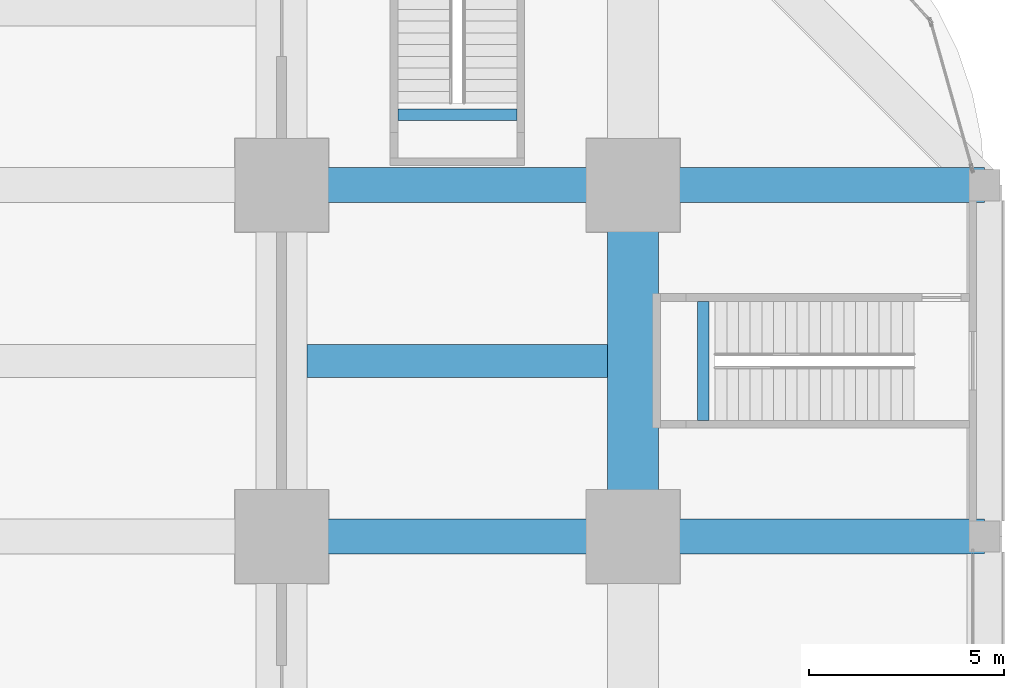
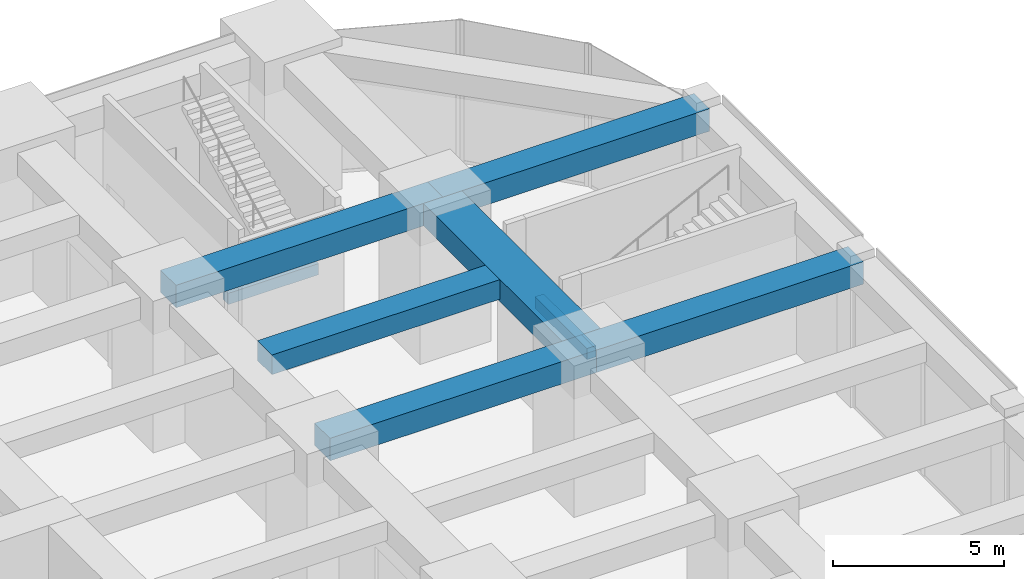
# One storey, part 36 of 45: 8 beams.
"""IFC4 building model written with IfcOpenShell, lengths in metres."""

from ifc_helpers import new_model, si_unit, direction, frame, origin, origin_2d, place, context, subcontext, project, spatial, rectangle, extrude, material, material_profile, profile_set, type_object, element, save


model = new_model("IFC4")

# Units and contexts
model_context = context("Model", 3, precision=1e-05, world=origin(), true_north=direction((0.0, 1.0)))
body_context = subcontext(model_context, "Body", "Model", "MODEL_VIEW")
ifc_project = project(units=[si_unit("LENGTHUNIT", "METRE"), si_unit("AREAUNIT", "SQUARE_METRE"), si_unit("VOLUMEUNIT", "CUBIC_METRE"), si_unit("PLANEANGLEUNIT", "RADIAN"), si_unit("MASSUNIT", "GRAM", prefix="KILO")], contexts=[model_context])

# Site, building, storey
site_placement = place(None, origin())
site = spatial("IfcSite", under=ifc_project, at=site_placement, CompositionType="ELEMENT")
building_placement = place(site_placement, origin())
building = spatial("IfcBuilding", under=site, at=building_placement, Name="Zorevar Civic Tower", CompositionType="ELEMENT")
storey_placement = place(building_placement, frame((0.0, 0.0, 5.39990234375)))
storey = spatial("IfcBuildingStorey", under=building, at=storey_placement, Name="L01", CompositionType="ELEMENT", Elevation=5.39990234375)

# Beams
ifc_material_1 = material(Name="Concrete C50/60", Category="concrete")
ifc_material_profile_1 = material_profile(ifc_material_1, rectangle(XDim=1.300048828125, YDim=0.800048828125, at=origin_2d()), Name="RC 1300x800")
ifc_profile_set_1 = profile_set([ifc_material_profile_1], Name="Concrete C50/60")
beam_type_1 = type_object("IfcBeamType", Name="Beam RC 1300x800", PredefinedType="BEAM", material=ifc_profile_set_1)
beam_1_placement = place(storey_placement, frame((63.0, 36.0, 4.7001953125), z_axis=(0.0, 1.0, 0.0), x_axis=(-1.0, 0.0, 0.0)))
element("IfcBeam", 1, at=beam_1_placement, inside=storey, type_object=beam_type_1, Name="Girder L02", PredefinedType="BEAM", context=body_context, shape_type="SweptSolid", body=[
    extrude(rectangle(XDim=1.300048828125, YDim=0.800048828125, at=origin_2d()), origin(), (0.0, 0.0, 1.0), 9.0),
])
ifc_material_2 = material(Name="Concrete C50/60", Category="concrete")
ifc_material_profile_2 = material_profile(ifc_material_2, rectangle(XDim=0.85009765625, YDim=0.699951171875, at=origin_2d()), Name="RC 850x700")
ifc_profile_set_2 = profile_set([ifc_material_profile_2], Name="Concrete C50/60")
beam_type_2 = type_object("IfcBeamType", Name="Beam RC 850x700", PredefinedType="BEAM", material=ifc_profile_set_2)
beam_2_placement = place(storey_placement, frame((54.64990234375, 40.5, 4.75), z_axis=(1.0, 0.0, 0.0), x_axis=(0.0, 1.0, 0.0)))
element("IfcBeam", 2, at=beam_2_placement, inside=storey, type_object=beam_type_2, Name="Secondary beam L02", PredefinedType="BEAM", context=body_context, shape_type="SweptSolid", body=[
    extrude(rectangle(XDim=0.85009765625, YDim=0.699951171875, at=origin_2d()), origin(), (0.0, 0.0, 1.0), 7.7001953125),
])
ifc_material_3 = material(Name="Concrete C50/60", Category="concrete")
ifc_material_profile_3 = material_profile(ifc_material_3, rectangle(XDim=0.89990234375, YDim=0.800048828125, at=origin_2d()), Name="RC 900x800")
ifc_profile_set_3 = profile_set([ifc_material_profile_3], Name="Concrete C50/60")
beam_type_3 = type_object("IfcBeamType", Name="Beam RC 900x800", PredefinedType="BEAM", material=ifc_profile_set_3)
for number, where, z_axis, x_axis, name in (
    (3, (54.0, 36.0, 4.7001953125), (1.0, 0.0, 0.0), (0.0, 1.0, 0.0), "Girder L02"),
    (4, (63.0, 36.0, 4.7001953125), (1.0, 0.0, 0.0), (0.0, 1.0, 0.0), "Girder L02"),
    (5, (54.0, 45.0, 4.7001953125), (1.0, 0.0, 0.0), (0.0, 1.0, 0.0), "Girder L02"),
    (6, (63.0, 45.0, 4.7001953125), (1.0, 0.0, 0.0), (0.0, 1.0, 0.0), "Girder L02"),
):
    element("IfcBeam", number, at=place(storey_placement, frame(where, z_axis=z_axis, x_axis=x_axis)), inside=storey, type_object=beam_type_3, Name=name, PredefinedType="BEAM", context=body_context, shape_type="SweptSolid", body=[
        extrude(rectangle(XDim=0.89990234375, YDim=0.800048828125, at=origin_2d()), origin(), (0.0, 0.0, 1.0), 9.0),
    ])
ifc_material_4 = material(Name="Concrete C30/37", Category="concrete")
ifc_material_profile_4 = material_profile(ifc_material_4, rectangle(XDim=0.300048828125, YDim=0.39990234375, at=origin_2d()), Name="RC 300x400")
ifc_profile_set_4 = profile_set([ifc_material_profile_4], Name="Concrete C30/37")
beam_type_4 = type_object("IfcBeamType", Name="Landing beam RC 300x400", PredefinedType="BEAM", material=ifc_profile_set_4)
for number, where, z_axis, x_axis, name in (
    (7, (64.800048828125, 42.02490234375, 2.300048828125), (0.0, -1.0, 0.0), (1.0, 0.0, 0.0), "Landing beam PS2 L01"),
    (8, (56.97509765625, 46.800048828125, 2.300048828125), (1.0, 0.0, 0.0), (0.0, 1.0, 0.0), "Landing beam PS3 L01"),
):
    element("IfcBeam", number, at=place(storey_placement, frame(where, z_axis=z_axis, x_axis=x_axis)), inside=storey, type_object=beam_type_4, Name=name, PredefinedType="BEAM", context=body_context, shape_type="SweptSolid", body=[
        extrude(rectangle(XDim=0.300048828125, YDim=0.39990234375, at=origin_2d()), origin(), (0.0, 0.0, 1.0), 3.0498046875),
    ])

save(model, "model.ifc")
